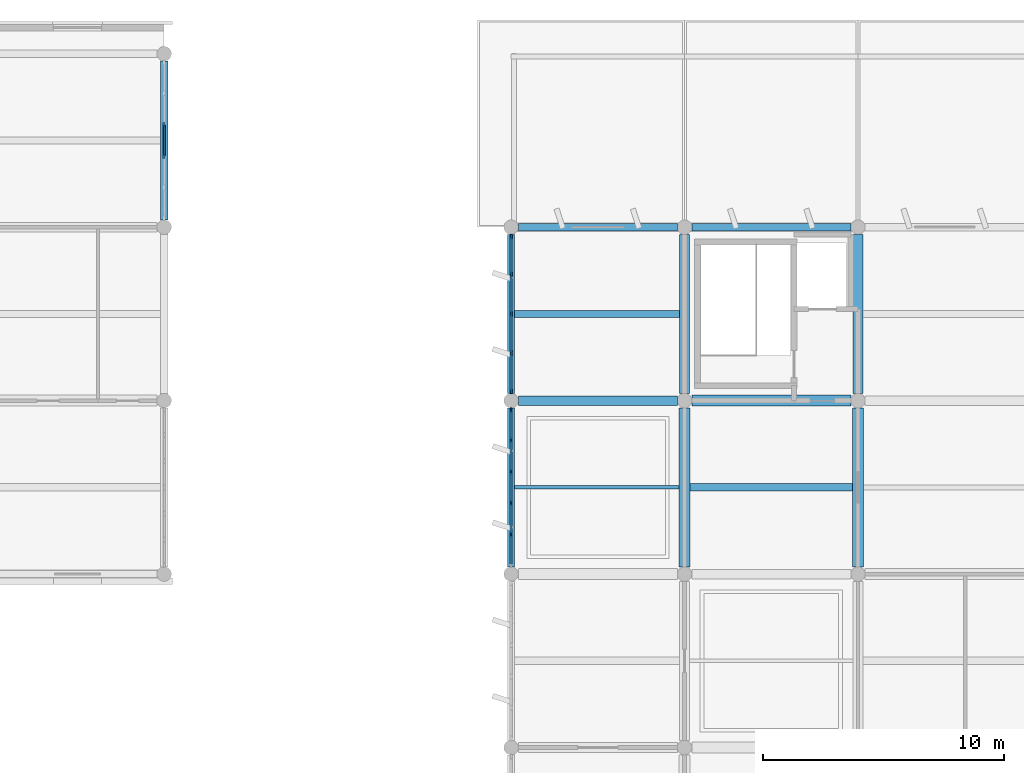
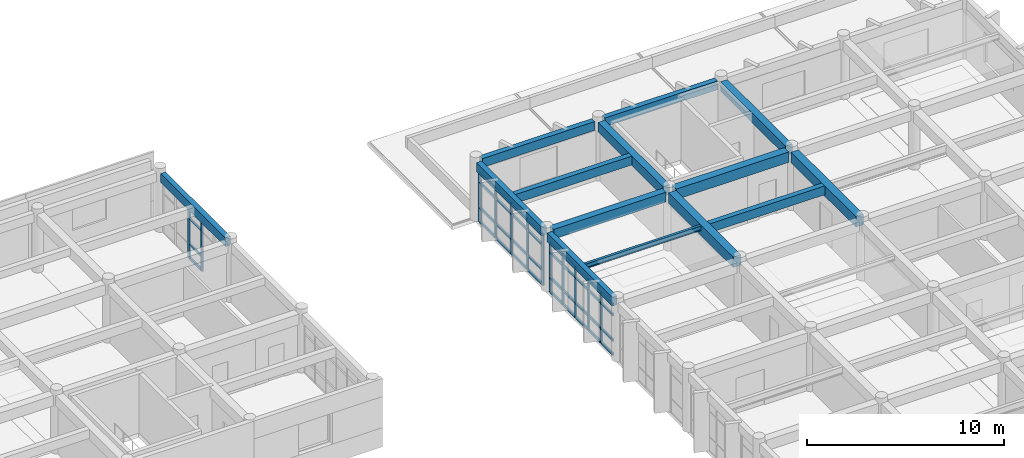
# One storey, part 5 of 16: 52 members, 13 beams, 3 elements without a shape of their own.
"""IFC4 building model written with IfcOpenShell, lengths in metres."""

from ifc_helpers import new_model, si_unit, direction, frame, origin, origin_2d, place, context, subcontext, project, spatial, rectangle, i_section, extrude, material, layer, layer_set, material_profile, profile_set, type_object, element, aggregate, save


model = new_model("IFC4")

# Units and contexts
model_context = context("Model", 3, precision=1e-05, world=origin(), true_north=direction((0.0, 1.0)))
body_context = subcontext(model_context, "Body", "Model", "MODEL_VIEW")
ifc_project = project(units=[si_unit("LENGTHUNIT", "METRE"), si_unit("AREAUNIT", "SQUARE_METRE"), si_unit("VOLUMEUNIT", "CUBIC_METRE"), si_unit("PLANEANGLEUNIT", "RADIAN"), si_unit("MASSUNIT", "GRAM", prefix="KILO")], contexts=[model_context])

# Site, building, storey
site_placement = place(None, origin())
site = spatial("IfcSite", under=ifc_project, at=site_placement, CompositionType="ELEMENT")
building_placement = place(site_placement, origin())
building = spatial("IfcBuilding", under=site, at=building_placement, Name="Kavelor Marine Aquarium", CompositionType="ELEMENT")
storey_placement = place(building_placement, frame((0.0, 0.0, 21.60009765625)))
storey = spatial("IfcBuildingStorey", under=building, at=storey_placement, Name="L05", CompositionType="ELEMENT", Elevation=21.60009765625)

# Beams
ifc_material_1 = material(Name="Concrete C40/50", Category="concrete")
ifc_material_profile_1 = material_profile(ifc_material_1, rectangle(XDim=0.449951171875, YDim=0.64990234375, at=origin_2d()), Name="RC-BM 450x650")
ifc_profile_set_1 = profile_set([ifc_material_profile_1], Name="Concrete C40/50")
beam_type_1 = type_object("IfcBeamType", Name="BM-B3", PredefinedType="BEAM", material=ifc_profile_set_1)
for number, where, z_axis, x_axis, name in (
    (1, (125.89990234375, 96.39990234375, 3.35498046875), (1.0, 0.0, 0.0), (0.0, 1.0, 0.0), "bm:x:L05:RF:17_13"),
    (2, (125.60009765625, 89.5, 3.35498046875), (0.0, 1.0, 0.0), (-1.0, 0.0, 0.0), "bm:y:L05:RF:17_12"),
    (3, (132.800048828125, 89.5, 3.35498046875), (0.0, 1.0, 0.0), (-1.0, 0.0, 0.0), "bm:y:L05:RF:18_12"),
):
    element("IfcBeam", number, at=place(storey_placement, frame(where, z_axis=z_axis, x_axis=x_axis)), inside=storey, type_object=beam_type_1, Name=name, PredefinedType="BEAM", context=body_context, shape_type="SweptSolid", body=[
        extrude(rectangle(XDim=0.449951171875, YDim=0.64990234375, at=origin_2d()), origin(), (0.0, 0.0, 1.0), 6.60009765625),
    ])
ifc_material_2 = material(Name="Concrete C40/50", Category="concrete")
ifc_material_profile_2 = material_profile(ifc_material_2, rectangle(XDim=0.39990234375, YDim=0.60009765625, at=origin_2d()), Name="RC-BM 400x600")
ifc_profile_set_2 = profile_set([ifc_material_profile_2], Name="Concrete C40/50")
beam_type_2 = type_object("IfcBeamType", Name="BM-B4", PredefinedType="BEAM", material=ifc_profile_set_2)
for number, where, z_axis, x_axis, name in (
    (4, (118.699951171875, 96.39990234375, 3.3798828125), (1.0, 0.0, 0.0), (0.0, 1.0, 0.0), "bm:x:L05:RF:16_13"),
    (5, (125.60009765625, 96.699951171875, 3.3798828125), (0.0, 1.0, 0.0), (-1.0, 0.0, 0.0), "bm:y:L05:RF:17_13"),
    (6, (132.800048828125, 96.699951171875, 3.3798828125), (0.0, 1.0, 0.0), (-1.0, 0.0, 0.0), "bm:y:L05:RF:18_13"),
):
    element("IfcBeam", number, at=place(storey_placement, frame(where, z_axis=z_axis, x_axis=x_axis)), inside=storey, type_object=beam_type_2, Name=name, PredefinedType="BEAM", context=body_context, shape_type="SweptSolid", body=[
        extrude(rectangle(XDim=0.39990234375, YDim=0.60009765625, at=origin_2d()), origin(), (0.0, 0.0, 1.0), 6.60009765625),
    ])
ifc_material_3 = material(Name="Concrete C40/50", Category="concrete")
ifc_material_profile_3 = material_profile(ifc_material_3, rectangle(XDim=0.300048828125, YDim=0.550048828125, at=origin_2d()), Name="RC-JS 300x550")
ifc_profile_set_3 = profile_set([ifc_material_profile_3], Name="Concrete C40/50")
beam_type_3 = type_object("IfcBeamType", Name="BM-JS2", PredefinedType="JOIST", material=ifc_profile_set_3)
beam_1_placement = place(storey_placement, frame((118.550048828125, 100.0, 3.40478515625), z_axis=(1.0, 0.0, 0.0), x_axis=(0.0, 1.0, 0.0)))
element("IfcBeam", 7, at=beam_1_placement, inside=storey, type_object=beam_type_3, Name="js:L05:RF:16_13", PredefinedType="JOIST", context=body_context, shape_type="SweptSolid", body=[
    extrude(rectangle(XDim=0.300048828125, YDim=0.550048828125, at=origin_2d()), origin(), (0.0, 0.0, 1.0), 6.849853515625),
])
beam_2_placement = place(storey_placement, frame((125.824951171875, 92.800048828125, 3.40478515625), z_axis=(1.0, 0.0, 0.0), x_axis=(0.0, 1.0, 0.0)))
element("IfcBeam", 8, at=beam_2_placement, inside=storey, type_object=beam_type_3, Name="js:L05:RF:17_12", PredefinedType="JOIST", context=body_context, shape_type="SweptSolid", body=[
    extrude(rectangle(XDim=0.300048828125, YDim=0.550048828125, at=origin_2d()), origin(), (0.0, 0.0, 1.0), 6.75),
])
ifc_material_4 = material(Name="Concrete C40/50", Category="concrete")
ifc_material_profile_4 = material_profile(ifc_material_4, rectangle(XDim=0.300048828125, YDim=0.550048828125, at=origin_2d()), Name="RC-SP 300x550")
ifc_profile_set_4 = profile_set([ifc_material_profile_4], Name="Concrete C40/50")
beam_type_4 = type_object("IfcBeamType", Name="BM-SP2", PredefinedType="SPANDREL", material=ifc_profile_set_4)
for number, where, z_axis, x_axis, name in (
    (9, (118.699951171875, 103.60009765625, 3.40478515625), (1.0, 0.0, 0.0), (0.0, 1.0, 0.0), "bm:x:L05:RF:16_14"),
    (10, (125.89990234375, 103.60009765625, 3.40478515625), (1.0, 0.0, 0.0), (0.0, 1.0, 0.0), "bm:x:L05:RF:17_14"),
    (11, (104.0, 103.89990234375, 3.40478515625), (0.0, 1.0, 0.0), (-1.0, 0.0, 0.0), "bm:y:L05:RF:14_14"),
    (12, (118.39990234375, 89.5, 3.40478515625), (0.0, 1.0, 0.0), (-1.0, 0.0, 0.0), "bm:y:L05:RF:16_12"),
    (13, (118.39990234375, 96.699951171875, 3.40478515625), (0.0, 1.0, 0.0), (-1.0, 0.0, 0.0), "bm:y:L05:RF:16_13"),
):
    element("IfcBeam", number, at=place(storey_placement, frame(where, z_axis=z_axis, x_axis=x_axis)), inside=storey, type_object=beam_type_4, Name=name, PredefinedType="SPANDREL", context=body_context, shape_type="SweptSolid", body=[
        extrude(rectangle(XDim=0.300048828125, YDim=0.550048828125, at=origin_2d()), origin(), (0.0, 0.0, 1.0), 6.60009765625),
    ])

# Curtain wall, members
ifc_material_5 = material(Name="Thermally Broken Aluminium and Low-E Glass", Category="aluminium")
ifc_layer_1 = layer(ifc_material_5, 0.219970703125)
ifc_layer_set_1 = layer_set([ifc_layer_1], Name="CW-SYS10")
curtain_wall_type_1 = type_object("IfcCurtainWallType", Name="CW-SYS10", PredefinedType="USERDEFINED", material=ifc_layer_set_1)
curtain_wall_1_placement = place(storey_placement, origin())
curtain_wall_1 = element("IfcCurtainWall", 14, at=curtain_wall_1_placement, inside=storey, type_object=curtain_wall_type_1, Name="cw:y:L05:16_12", ObjectType="Curtain Wall", PredefinedType="USERDEFINED")
ifc_material_6 = material(Name="Anodised Aluminium Alloy 6063-T6", Category="aluminium")
ifc_material_profile_5 = material_profile(ifc_material_6, rectangle(XDim=0.074951171875, YDim=0.179931640625, at=origin_2d()), Name="CW-MUL 75x180")
ifc_profile_set_5 = profile_set([ifc_material_profile_5], Name="Anodised Aluminium Alloy 6063-T6")
member_type_1 = type_object("IfcMemberType", Name="CWM-1", PredefinedType="MULLION", material=ifc_profile_set_5)
member_1_placement = place(storey_placement, frame((118.39990234375, 96.017578125, 0.0), z_axis=(0.0, 0.0, 1.0), x_axis=(1.0, 0.0, 0.0)))
member_1 = element("IfcMember", 15, at=member_1_placement, type_object=member_type_1, Name="CW10 mullion 1", PredefinedType="MULLION", context=body_context, shape_type="SweptSolid", body=[
    extrude(rectangle(XDim=0.074951171875, YDim=0.179931640625, at=origin_2d()), origin(), (0.0, 0.0, 1.0), 3.119873046875),
])
member_2_placement = place(storey_placement, frame((118.39990234375, 94.7529296875, 0.0), z_axis=(0.0, 0.0, 1.0), x_axis=(1.0, 0.0, 0.0)))
member_2 = element("IfcMember", 16, at=member_2_placement, type_object=member_type_1, Name="CW10 mullion 2", PredefinedType="MULLION", context=body_context, shape_type="SweptSolid", body=[
    extrude(rectangle(XDim=0.074951171875, YDim=0.179931640625, at=origin_2d()), origin(), (0.0, 0.0, 1.0), 3.119873046875),
])
member_3_placement = place(storey_placement, frame((118.39990234375, 93.450927734375, 0.0), z_axis=(0.0, 0.0, 1.0), x_axis=(1.0, 0.0, 0.0)))
member_3 = element("IfcMember", 17, at=member_3_placement, type_object=member_type_1, Name="CW10 mullion 3", PredefinedType="MULLION", context=body_context, shape_type="SweptSolid", body=[
    extrude(rectangle(XDim=0.074951171875, YDim=0.179931640625, at=origin_2d()), origin(), (0.0, 0.0, 1.0), 3.119873046875),
])
member_4_placement = place(storey_placement, frame((118.39990234375, 92.14892578125, 0.0), z_axis=(0.0, 0.0, 1.0), x_axis=(1.0, 0.0, 0.0)))
member_4 = element("IfcMember", 18, at=member_4_placement, type_object=member_type_1, Name="CW10 mullion 4", PredefinedType="MULLION", context=body_context, shape_type="SweptSolid", body=[
    extrude(rectangle(XDim=0.074951171875, YDim=0.179931640625, at=origin_2d()), origin(), (0.0, 0.0, 1.0), 3.119873046875),
])
member_5_placement = place(storey_placement, frame((118.39990234375, 90.846923828125, 0.0), z_axis=(0.0, 0.0, 1.0), x_axis=(1.0, 0.0, 0.0)))
member_5 = element("IfcMember", 19, at=member_5_placement, type_object=member_type_1, Name="CW10 mullion 5", PredefinedType="MULLION", context=body_context, shape_type="SweptSolid", body=[
    extrude(rectangle(XDim=0.074951171875, YDim=0.179931640625, at=origin_2d()), origin(), (0.0, 0.0, 1.0), 3.119873046875),
])

ifc_material_7 = material(Name="Thermally Broken Aluminium and Low-E Glass", Category="aluminium")
ifc_layer_2 = layer(ifc_material_7, 0.22802734375)
ifc_layer_set_2 = layer_set([ifc_layer_2], Name="CW-SYS11")
curtain_wall_type_2 = type_object("IfcCurtainWallType", Name="CW-SYS11", PredefinedType="USERDEFINED", material=ifc_layer_set_2)
curtain_wall_2_placement = place(storey_placement, origin())
curtain_wall_2 = element("IfcCurtainWall", 20, at=curtain_wall_2_placement, inside=storey, type_object=curtain_wall_type_2, Name="cw:y:L05:16_13", ObjectType="Curtain Wall", PredefinedType="USERDEFINED")
ifc_material_8 = material(Name="Anodised Aluminium Alloy 6063-T6", Category="aluminium")
ifc_material_profile_6 = material_profile(ifc_material_8, rectangle(XDim=0.080078125, YDim=0.18505859375, at=origin_2d()), Name="CW-MUL 80x185")
ifc_profile_set_6 = profile_set([ifc_material_profile_6], Name="Anodised Aluminium Alloy 6063-T6")
member_type_2 = type_object("IfcMemberType", Name="CWM-2", PredefinedType="MULLION", material=ifc_profile_set_6)
member_6_placement = place(storey_placement, frame((118.39990234375, 103.222412109375, 0.0), z_axis=(0.0, 0.0, 1.0), x_axis=(1.0, 0.0, 0.0)))
member_6 = element("IfcMember", 21, at=member_6_placement, type_object=member_type_2, Name="CW11 mullion 1", PredefinedType="MULLION", context=body_context, shape_type="SweptSolid", body=[
    extrude(rectangle(XDim=0.080078125, YDim=0.18505859375, at=origin_2d()), origin(), (0.0, 0.0, 1.0), 3.119873046875),
])
member_7_placement = place(storey_placement, frame((118.39990234375, 101.62744140625, 0.0), z_axis=(0.0, 0.0, 1.0), x_axis=(1.0, 0.0, 0.0)))
member_7 = element("IfcMember", 22, at=member_7_placement, type_object=member_type_2, Name="CW11 mullion 2", PredefinedType="MULLION", context=body_context, shape_type="SweptSolid", body=[
    extrude(rectangle(XDim=0.080078125, YDim=0.18505859375, at=origin_2d()), origin(), (0.0, 0.0, 1.0), 3.119873046875),
])
member_8_placement = place(storey_placement, frame((118.39990234375, 100.0, 0.0), z_axis=(0.0, 0.0, 1.0), x_axis=(1.0, 0.0, 0.0)))
member_8 = element("IfcMember", 23, at=member_8_placement, type_object=member_type_2, Name="CW11 mullion 3", PredefinedType="MULLION", context=body_context, shape_type="SweptSolid", body=[
    extrude(rectangle(XDim=0.080078125, YDim=0.18505859375, at=origin_2d()), origin(), (0.0, 0.0, 1.0), 3.119873046875),
])
member_9_placement = place(storey_placement, frame((118.39990234375, 98.37255859375, 0.0), z_axis=(0.0, 0.0, 1.0), x_axis=(1.0, 0.0, 0.0)))
member_9 = element("IfcMember", 24, at=member_9_placement, type_object=member_type_2, Name="CW11 mullion 4", PredefinedType="MULLION", context=body_context, shape_type="SweptSolid", body=[
    extrude(rectangle(XDim=0.080078125, YDim=0.18505859375, at=origin_2d()), origin(), (0.0, 0.0, 1.0), 3.119873046875),
])
member_10_placement = place(storey_placement, frame((118.39990234375, 96.777587890625, 0.0), z_axis=(0.0, 0.0, 1.0), x_axis=(1.0, 0.0, 0.0)))
member_10 = element("IfcMember", 25, at=member_10_placement, type_object=member_type_2, Name="CW11 mullion 5", PredefinedType="MULLION", context=body_context, shape_type="SweptSolid", body=[
    extrude(rectangle(XDim=0.080078125, YDim=0.18505859375, at=origin_2d()), origin(), (0.0, 0.0, 1.0), 3.119873046875),
])

ifc_material_9 = material(Name="Thermally Broken Aluminium and Low-E Glass", Category="aluminium")
ifc_layer_3 = layer(ifc_material_9, 0.18798828125)
ifc_layer_set_3 = layer_set([ifc_layer_3], Name="CW-SYS6")
curtain_wall_type_3 = type_object("IfcCurtainWallType", Name="CW-SYS6", PredefinedType="USERDEFINED", material=ifc_layer_set_3)
curtain_wall_3_placement = place(storey_placement, origin())
curtain_wall_3 = element("IfcCurtainWall", 26, at=curtain_wall_3_placement, inside=storey, type_object=curtain_wall_type_3, Name="cw:y:L05:14_14", ObjectType="Curtain Wall", PredefinedType="USERDEFINED")
ifc_material_10 = material(Name="Anodised Aluminium Alloy 6063-T6", Category="aluminium")
ifc_material_profile_7 = material_profile(ifc_material_10, rectangle(XDim=0.0849609375, YDim=0.18994140625, at=origin_2d()), Name="CW-MUL 85x190")
ifc_profile_set_7 = profile_set([ifc_material_profile_7], Name="Anodised Aluminium Alloy 6063-T6")
member_type_3 = type_object("IfcMemberType", Name="CWM-3", PredefinedType="MULLION", material=ifc_profile_set_7)
member_11_placement = place(storey_placement, frame((104.0, 106.549072265625, 0.0), z_axis=(0.0, 0.0, 1.0), x_axis=(-1.0, 0.0, 0.0)))
member_11 = element("IfcMember", 27, at=member_11_placement, type_object=member_type_3, Name="CW06 mullion 3", PredefinedType="MULLION", context=body_context, shape_type="SweptSolid", body=[
    extrude(rectangle(XDim=0.0849609375, YDim=0.18994140625, at=origin_2d()), origin(), (0.0, 0.0, 1.0), 3.119873046875),
])
member_12_placement = place(storey_placement, frame((104.0, 107.85107421875, 0.0), z_axis=(0.0, 0.0, 1.0), x_axis=(-1.0, 0.0, 0.0)))
member_12 = element("IfcMember", 28, at=member_12_placement, type_object=member_type_3, Name="CW06 mullion 4", PredefinedType="MULLION", context=body_context, shape_type="SweptSolid", body=[
    extrude(rectangle(XDim=0.0849609375, YDim=0.18994140625, at=origin_2d()), origin(), (0.0, 0.0, 1.0), 3.119873046875),
])
ifc_material_11 = material(Name="Anodised Aluminium Alloy 6063-T6", Category="aluminium")
ifc_material_profile_8 = material_profile(ifc_material_11, rectangle(XDim=0.074951171875, YDim=0.14990234375, at=origin_2d()), Name="CW-TRN 75x150")
ifc_profile_set_8 = profile_set([ifc_material_profile_8], Name="Anodised Aluminium Alloy 6063-T6")
member_type_4 = type_object("IfcMemberType", Name="CWT-1", PredefinedType="USERDEFINED", material=ifc_profile_set_8)
member_13_placement = place(storey_placement, frame((104.0, 106.5791015625, 0.037353515625), z_axis=(0.0, 1.0, 0.0), x_axis=(-1.0, 0.0, 0.0)))
member_13 = element("IfcMember", 29, at=member_13_placement, type_object=member_type_4, Name="CW06 transom 3.1", ObjectType="TRANSOM", PredefinedType="USERDEFINED", context=body_context, shape_type="SweptSolid", body=[
    extrude(rectangle(XDim=0.074951171875, YDim=0.14990234375, at=origin_2d()), origin(), (0.0, 0.0, 1.0), 1.241943359375),
])
member_14_placement = place(storey_placement, frame((104.0, 106.5791015625, 0.89990234375), z_axis=(0.0, 1.0, 0.0), x_axis=(-1.0, 0.0, 0.0)))
member_14 = element("IfcMember", 30, at=member_14_placement, type_object=member_type_4, Name="CW06 transom 3.2", ObjectType="TRANSOM", PredefinedType="USERDEFINED", context=body_context, shape_type="SweptSolid", body=[
    extrude(rectangle(XDim=0.074951171875, YDim=0.14990234375, at=origin_2d()), origin(), (0.0, 0.0, 1.0), 1.241943359375),
])
member_15_placement = place(storey_placement, frame((104.0, 106.5791015625, 2.469970703125), z_axis=(0.0, 1.0, 0.0), x_axis=(-1.0, 0.0, 0.0)))
member_15 = element("IfcMember", 31, at=member_15_placement, type_object=member_type_4, Name="CW06 transom 3.3", ObjectType="TRANSOM", PredefinedType="USERDEFINED", context=body_context, shape_type="SweptSolid", body=[
    extrude(rectangle(XDim=0.074951171875, YDim=0.14990234375, at=origin_2d()), origin(), (0.0, 0.0, 1.0), 1.241943359375),
])
aggregate(curtain_wall_3, [member_11, member_12, member_13, member_14, member_15])

# Member
ifc_material_12 = material(Name="Anodised Aluminium Alloy 6063-T6", Category="aluminium")
ifc_material_profile_9 = material_profile(ifc_material_12, rectangle(XDim=0.0849609375, YDim=0.159912109375, at=origin_2d()), Name="CW-TRN 85x160")
ifc_profile_set_9 = profile_set([ifc_material_profile_9], Name="Anodised Aluminium Alloy 6063-T6")
member_type_5 = type_object("IfcMemberType", Name="CWT-3", PredefinedType="USERDEFINED", material=ifc_profile_set_9)
member_16_placement = place(storey_placement, frame((118.39990234375, 95.97998046875, 0.02978515625), z_axis=(0.0, -1.0, 0.0), x_axis=(1.0, 0.0, 0.0)))
member_16 = element("IfcMember", 32, at=member_16_placement, type_object=member_type_5, Name="CW10 transom 1.1", ObjectType="TRANSOM", PredefinedType="USERDEFINED", context=body_context, shape_type="SweptSolid", body=[
    extrude(rectangle(XDim=0.0849609375, YDim=0.159912109375, at=origin_2d()), origin(), (0.0, 0.0, 1.0), 1.189453125),
])

member_17_placement = place(storey_placement, frame((118.39990234375, 95.97998046875, 0.89990234375), z_axis=(0.0, -1.0, 0.0), x_axis=(1.0, 0.0, 0.0)))
member_17 = element("IfcMember", 33, at=member_17_placement, type_object=member_type_5, Name="CW10 transom 1.2", ObjectType="TRANSOM", PredefinedType="USERDEFINED", context=body_context, shape_type="SweptSolid", body=[
    extrude(rectangle(XDim=0.0849609375, YDim=0.159912109375, at=origin_2d()), origin(), (0.0, 0.0, 1.0), 1.189453125),
])

member_18_placement = place(storey_placement, frame((118.39990234375, 95.97998046875, 2.469970703125), z_axis=(0.0, -1.0, 0.0), x_axis=(1.0, 0.0, 0.0)))
member_18 = element("IfcMember", 34, at=member_18_placement, type_object=member_type_5, Name="CW10 transom 1.3", ObjectType="TRANSOM", PredefinedType="USERDEFINED", context=body_context, shape_type="SweptSolid", body=[
    extrude(rectangle(XDim=0.0849609375, YDim=0.159912109375, at=origin_2d()), origin(), (0.0, 0.0, 1.0), 1.189453125),
])

member_19_placement = place(storey_placement, frame((118.39990234375, 95.97998046875, 3.08984375), z_axis=(0.0, -1.0, 0.0), x_axis=(1.0, 0.0, 0.0)))
member_19 = element("IfcMember", 35, at=member_19_placement, type_object=member_type_5, Name="CW10 transom 1.4", ObjectType="TRANSOM", PredefinedType="USERDEFINED", context=body_context, shape_type="SweptSolid", body=[
    extrude(rectangle(XDim=0.0849609375, YDim=0.159912109375, at=origin_2d()), origin(), (0.0, 0.0, 1.0), 1.189453125),
])

member_20_placement = place(storey_placement, frame((118.39990234375, 94.715576171875, 0.02978515625), z_axis=(0.0, -1.0, 0.0), x_axis=(1.0, 0.0, 0.0)))
member_20 = element("IfcMember", 36, at=member_20_placement, type_object=member_type_5, Name="CW10 transom 2.1", ObjectType="TRANSOM", PredefinedType="USERDEFINED", context=body_context, shape_type="SweptSolid", body=[
    extrude(rectangle(XDim=0.0849609375, YDim=0.159912109375, at=origin_2d()), origin(), (0.0, 0.0, 1.0), 1.22705078125),
])

member_21_placement = place(storey_placement, frame((118.39990234375, 94.715576171875, 0.89990234375), z_axis=(0.0, -1.0, 0.0), x_axis=(1.0, 0.0, 0.0)))
member_21 = element("IfcMember", 37, at=member_21_placement, type_object=member_type_5, Name="CW10 transom 2.2", ObjectType="TRANSOM", PredefinedType="USERDEFINED", context=body_context, shape_type="SweptSolid", body=[
    extrude(rectangle(XDim=0.0849609375, YDim=0.159912109375, at=origin_2d()), origin(), (0.0, 0.0, 1.0), 1.22705078125),
])

member_22_placement = place(storey_placement, frame((118.39990234375, 94.715576171875, 2.469970703125), z_axis=(0.0, -1.0, 0.0), x_axis=(1.0, 0.0, 0.0)))
member_22 = element("IfcMember", 38, at=member_22_placement, type_object=member_type_5, Name="CW10 transom 2.3", ObjectType="TRANSOM", PredefinedType="USERDEFINED", context=body_context, shape_type="SweptSolid", body=[
    extrude(rectangle(XDim=0.0849609375, YDim=0.159912109375, at=origin_2d()), origin(), (0.0, 0.0, 1.0), 1.22705078125),
])

member_23_placement = place(storey_placement, frame((118.39990234375, 94.715576171875, 3.08984375), z_axis=(0.0, -1.0, 0.0), x_axis=(1.0, 0.0, 0.0)))
member_23 = element("IfcMember", 39, at=member_23_placement, type_object=member_type_5, Name="CW10 transom 2.4", ObjectType="TRANSOM", PredefinedType="USERDEFINED", context=body_context, shape_type="SweptSolid", body=[
    extrude(rectangle(XDim=0.0849609375, YDim=0.159912109375, at=origin_2d()), origin(), (0.0, 0.0, 1.0), 1.22705078125),
])

member_24_placement = place(storey_placement, frame((118.39990234375, 93.41357421875, 0.02978515625), z_axis=(0.0, -1.0, 0.0), x_axis=(1.0, 0.0, 0.0)))
member_24 = element("IfcMember", 40, at=member_24_placement, type_object=member_type_5, Name="CW10 transom 3.1", ObjectType="TRANSOM", PredefinedType="USERDEFINED", context=body_context, shape_type="SweptSolid", body=[
    extrude(rectangle(XDim=0.0849609375, YDim=0.159912109375, at=origin_2d()), origin(), (0.0, 0.0, 1.0), 1.22705078125),
])

member_25_placement = place(storey_placement, frame((118.39990234375, 93.41357421875, 0.89990234375), z_axis=(0.0, -1.0, 0.0), x_axis=(1.0, 0.0, 0.0)))
member_25 = element("IfcMember", 41, at=member_25_placement, type_object=member_type_5, Name="CW10 transom 3.2", ObjectType="TRANSOM", PredefinedType="USERDEFINED", context=body_context, shape_type="SweptSolid", body=[
    extrude(rectangle(XDim=0.0849609375, YDim=0.159912109375, at=origin_2d()), origin(), (0.0, 0.0, 1.0), 1.22705078125),
])

member_26_placement = place(storey_placement, frame((118.39990234375, 93.41357421875, 2.469970703125), z_axis=(0.0, -1.0, 0.0), x_axis=(1.0, 0.0, 0.0)))
member_26 = element("IfcMember", 42, at=member_26_placement, type_object=member_type_5, Name="CW10 transom 3.3", ObjectType="TRANSOM", PredefinedType="USERDEFINED", context=body_context, shape_type="SweptSolid", body=[
    extrude(rectangle(XDim=0.0849609375, YDim=0.159912109375, at=origin_2d()), origin(), (0.0, 0.0, 1.0), 1.22705078125),
])

member_27_placement = place(storey_placement, frame((118.39990234375, 93.41357421875, 3.08984375), z_axis=(0.0, -1.0, 0.0), x_axis=(1.0, 0.0, 0.0)))
member_27 = element("IfcMember", 43, at=member_27_placement, type_object=member_type_5, Name="CW10 transom 3.4", ObjectType="TRANSOM", PredefinedType="USERDEFINED", context=body_context, shape_type="SweptSolid", body=[
    extrude(rectangle(XDim=0.0849609375, YDim=0.159912109375, at=origin_2d()), origin(), (0.0, 0.0, 1.0), 1.22705078125),
])

member_28_placement = place(storey_placement, frame((118.39990234375, 92.111572265625, 0.02978515625), z_axis=(0.0, -1.0, 0.0), x_axis=(1.0, 0.0, 0.0)))
member_28 = element("IfcMember", 44, at=member_28_placement, type_object=member_type_5, Name="CW10 transom 4.1", ObjectType="TRANSOM", PredefinedType="USERDEFINED", context=body_context, shape_type="SweptSolid", body=[
    extrude(rectangle(XDim=0.0849609375, YDim=0.159912109375, at=origin_2d()), origin(), (0.0, 0.0, 1.0), 1.22705078125),
])

member_29_placement = place(storey_placement, frame((118.39990234375, 92.111572265625, 0.89990234375), z_axis=(0.0, -1.0, 0.0), x_axis=(1.0, 0.0, 0.0)))
member_29 = element("IfcMember", 45, at=member_29_placement, type_object=member_type_5, Name="CW10 transom 4.2", ObjectType="TRANSOM", PredefinedType="USERDEFINED", context=body_context, shape_type="SweptSolid", body=[
    extrude(rectangle(XDim=0.0849609375, YDim=0.159912109375, at=origin_2d()), origin(), (0.0, 0.0, 1.0), 1.22705078125),
])

member_30_placement = place(storey_placement, frame((118.39990234375, 92.111572265625, 2.469970703125), z_axis=(0.0, -1.0, 0.0), x_axis=(1.0, 0.0, 0.0)))
member_30 = element("IfcMember", 46, at=member_30_placement, type_object=member_type_5, Name="CW10 transom 4.3", ObjectType="TRANSOM", PredefinedType="USERDEFINED", context=body_context, shape_type="SweptSolid", body=[
    extrude(rectangle(XDim=0.0849609375, YDim=0.159912109375, at=origin_2d()), origin(), (0.0, 0.0, 1.0), 1.22705078125),
])

member_31_placement = place(storey_placement, frame((118.39990234375, 92.111572265625, 3.08984375), z_axis=(0.0, -1.0, 0.0), x_axis=(1.0, 0.0, 0.0)))
member_31 = element("IfcMember", 47, at=member_31_placement, type_object=member_type_5, Name="CW10 transom 4.4", ObjectType="TRANSOM", PredefinedType="USERDEFINED", context=body_context, shape_type="SweptSolid", body=[
    extrude(rectangle(XDim=0.0849609375, YDim=0.159912109375, at=origin_2d()), origin(), (0.0, 0.0, 1.0), 1.22705078125),
])

member_32_placement = place(storey_placement, frame((118.39990234375, 90.8095703125, 0.02978515625), z_axis=(0.0, -1.0, 0.0), x_axis=(1.0, 0.0, 0.0)))
member_32 = element("IfcMember", 48, at=member_32_placement, type_object=member_type_5, Name="CW10 transom 5.1", ObjectType="TRANSOM", PredefinedType="USERDEFINED", context=body_context, shape_type="SweptSolid", body=[
    extrude(rectangle(XDim=0.0849609375, YDim=0.159912109375, at=origin_2d()), origin(), (0.0, 0.0, 1.0), 1.189453125),
])

member_33_placement = place(storey_placement, frame((118.39990234375, 90.8095703125, 0.89990234375), z_axis=(0.0, -1.0, 0.0), x_axis=(1.0, 0.0, 0.0)))
member_33 = element("IfcMember", 49, at=member_33_placement, type_object=member_type_5, Name="CW10 transom 5.2", ObjectType="TRANSOM", PredefinedType="USERDEFINED", context=body_context, shape_type="SweptSolid", body=[
    extrude(rectangle(XDim=0.0849609375, YDim=0.159912109375, at=origin_2d()), origin(), (0.0, 0.0, 1.0), 1.189453125),
])

member_34_placement = place(storey_placement, frame((118.39990234375, 90.8095703125, 2.469970703125), z_axis=(0.0, -1.0, 0.0), x_axis=(1.0, 0.0, 0.0)))
member_34 = element("IfcMember", 50, at=member_34_placement, type_object=member_type_5, Name="CW10 transom 5.3", ObjectType="TRANSOM", PredefinedType="USERDEFINED", context=body_context, shape_type="SweptSolid", body=[
    extrude(rectangle(XDim=0.0849609375, YDim=0.159912109375, at=origin_2d()), origin(), (0.0, 0.0, 1.0), 1.189453125),
])

member_35_placement = place(storey_placement, frame((118.39990234375, 90.8095703125, 3.08984375), z_axis=(0.0, -1.0, 0.0), x_axis=(1.0, 0.0, 0.0)))
member_35 = element("IfcMember", 51, at=member_35_placement, type_object=member_type_5, Name="CW10 transom 5.4", ObjectType="TRANSOM", PredefinedType="USERDEFINED", context=body_context, shape_type="SweptSolid", body=[
    extrude(rectangle(XDim=0.0849609375, YDim=0.159912109375, at=origin_2d()), origin(), (0.0, 0.0, 1.0), 1.189453125),
])

aggregate(curtain_wall_1, [member_1, member_2, member_3, member_4, member_5, member_16, member_17, member_18, member_19, member_20, member_21, member_22, member_23, member_24, member_25, member_26, member_27, member_28, member_29, member_30, member_31, member_32, member_33, member_34, member_35])

member_36_placement = place(storey_placement, frame((118.39990234375, 103.18994140625, 0.02978515625), z_axis=(0.0, -1.0, 0.0), x_axis=(1.0, 0.0, 0.0)))
member_36 = element("IfcMember", 52, at=member_36_placement, type_object=member_type_5, Name="CW11 transom 1.1", ObjectType="TRANSOM", PredefinedType="USERDEFINED", context=body_context, shape_type="SweptSolid", body=[
    extrude(rectangle(XDim=0.0849609375, YDim=0.159912109375, at=origin_2d()), origin(), (0.0, 0.0, 1.0), 1.530029296875),
])

member_37_placement = place(storey_placement, frame((118.39990234375, 103.18994140625, 0.89990234375), z_axis=(0.0, -1.0, 0.0), x_axis=(1.0, 0.0, 0.0)))
member_37 = element("IfcMember", 53, at=member_37_placement, type_object=member_type_5, Name="CW11 transom 1.2", ObjectType="TRANSOM", PredefinedType="USERDEFINED", context=body_context, shape_type="SweptSolid", body=[
    extrude(rectangle(XDim=0.0849609375, YDim=0.159912109375, at=origin_2d()), origin(), (0.0, 0.0, 1.0), 1.530029296875),
])

member_38_placement = place(storey_placement, frame((118.39990234375, 103.18994140625, 2.469970703125), z_axis=(0.0, -1.0, 0.0), x_axis=(1.0, 0.0, 0.0)))
member_38 = element("IfcMember", 54, at=member_38_placement, type_object=member_type_5, Name="CW11 transom 1.3", ObjectType="TRANSOM", PredefinedType="USERDEFINED", context=body_context, shape_type="SweptSolid", body=[
    extrude(rectangle(XDim=0.0849609375, YDim=0.159912109375, at=origin_2d()), origin(), (0.0, 0.0, 1.0), 1.530029296875),
])

member_39_placement = place(storey_placement, frame((118.39990234375, 103.18994140625, 3.08984375), z_axis=(0.0, -1.0, 0.0), x_axis=(1.0, 0.0, 0.0)))
member_39 = element("IfcMember", 55, at=member_39_placement, type_object=member_type_5, Name="CW11 transom 1.4", ObjectType="TRANSOM", PredefinedType="USERDEFINED", context=body_context, shape_type="SweptSolid", body=[
    extrude(rectangle(XDim=0.0849609375, YDim=0.159912109375, at=origin_2d()), origin(), (0.0, 0.0, 1.0), 1.530029296875),
])

member_40_placement = place(storey_placement, frame((118.39990234375, 101.594970703125, 0.02978515625), z_axis=(0.0, -1.0, 0.0), x_axis=(1.0, 0.0, 0.0)))
member_40 = element("IfcMember", 56, at=member_40_placement, type_object=member_type_5, Name="CW11 transom 2.1", ObjectType="TRANSOM", PredefinedType="USERDEFINED", context=body_context, shape_type="SweptSolid", body=[
    extrude(rectangle(XDim=0.0849609375, YDim=0.159912109375, at=origin_2d()), origin(), (0.0, 0.0, 1.0), 1.5625),
])

member_41_placement = place(storey_placement, frame((118.39990234375, 101.594970703125, 0.89990234375), z_axis=(0.0, -1.0, 0.0), x_axis=(1.0, 0.0, 0.0)))
member_41 = element("IfcMember", 57, at=member_41_placement, type_object=member_type_5, Name="CW11 transom 2.2", ObjectType="TRANSOM", PredefinedType="USERDEFINED", context=body_context, shape_type="SweptSolid", body=[
    extrude(rectangle(XDim=0.0849609375, YDim=0.159912109375, at=origin_2d()), origin(), (0.0, 0.0, 1.0), 1.5625),
])

member_42_placement = place(storey_placement, frame((118.39990234375, 101.594970703125, 2.469970703125), z_axis=(0.0, -1.0, 0.0), x_axis=(1.0, 0.0, 0.0)))
member_42 = element("IfcMember", 58, at=member_42_placement, type_object=member_type_5, Name="CW11 transom 2.3", ObjectType="TRANSOM", PredefinedType="USERDEFINED", context=body_context, shape_type="SweptSolid", body=[
    extrude(rectangle(XDim=0.0849609375, YDim=0.159912109375, at=origin_2d()), origin(), (0.0, 0.0, 1.0), 1.5625),
])

member_43_placement = place(storey_placement, frame((118.39990234375, 101.594970703125, 3.08984375), z_axis=(0.0, -1.0, 0.0), x_axis=(1.0, 0.0, 0.0)))
member_43 = element("IfcMember", 59, at=member_43_placement, type_object=member_type_5, Name="CW11 transom 2.4", ObjectType="TRANSOM", PredefinedType="USERDEFINED", context=body_context, shape_type="SweptSolid", body=[
    extrude(rectangle(XDim=0.0849609375, YDim=0.159912109375, at=origin_2d()), origin(), (0.0, 0.0, 1.0), 1.5625),
])

member_44_placement = place(storey_placement, frame((118.39990234375, 99.967529296875, 0.02978515625), z_axis=(0.0, -1.0, 0.0), x_axis=(1.0, 0.0, 0.0)))
member_44 = element("IfcMember", 60, at=member_44_placement, type_object=member_type_5, Name="CW11 transom 3.1", ObjectType="TRANSOM", PredefinedType="USERDEFINED", context=body_context, shape_type="SweptSolid", body=[
    extrude(rectangle(XDim=0.0849609375, YDim=0.159912109375, at=origin_2d()), origin(), (0.0, 0.0, 1.0), 1.5625),
])

member_45_placement = place(storey_placement, frame((118.39990234375, 99.967529296875, 0.89990234375), z_axis=(0.0, -1.0, 0.0), x_axis=(1.0, 0.0, 0.0)))
member_45 = element("IfcMember", 61, at=member_45_placement, type_object=member_type_5, Name="CW11 transom 3.2", ObjectType="TRANSOM", PredefinedType="USERDEFINED", context=body_context, shape_type="SweptSolid", body=[
    extrude(rectangle(XDim=0.0849609375, YDim=0.159912109375, at=origin_2d()), origin(), (0.0, 0.0, 1.0), 1.5625),
])

member_46_placement = place(storey_placement, frame((118.39990234375, 99.967529296875, 2.469970703125), z_axis=(0.0, -1.0, 0.0), x_axis=(1.0, 0.0, 0.0)))
member_46 = element("IfcMember", 62, at=member_46_placement, type_object=member_type_5, Name="CW11 transom 3.3", ObjectType="TRANSOM", PredefinedType="USERDEFINED", context=body_context, shape_type="SweptSolid", body=[
    extrude(rectangle(XDim=0.0849609375, YDim=0.159912109375, at=origin_2d()), origin(), (0.0, 0.0, 1.0), 1.5625),
])

member_47_placement = place(storey_placement, frame((118.39990234375, 99.967529296875, 3.08984375), z_axis=(0.0, -1.0, 0.0), x_axis=(1.0, 0.0, 0.0)))
member_47 = element("IfcMember", 63, at=member_47_placement, type_object=member_type_5, Name="CW11 transom 3.4", ObjectType="TRANSOM", PredefinedType="USERDEFINED", context=body_context, shape_type="SweptSolid", body=[
    extrude(rectangle(XDim=0.0849609375, YDim=0.159912109375, at=origin_2d()), origin(), (0.0, 0.0, 1.0), 1.5625),
])

member_48_placement = place(storey_placement, frame((118.39990234375, 98.340087890625, 0.02978515625), z_axis=(0.0, -1.0, 0.0), x_axis=(1.0, 0.0, 0.0)))
member_48 = element("IfcMember", 64, at=member_48_placement, type_object=member_type_5, Name="CW11 transom 4.1", ObjectType="TRANSOM", PredefinedType="USERDEFINED", context=body_context, shape_type="SweptSolid", body=[
    extrude(rectangle(XDim=0.0849609375, YDim=0.159912109375, at=origin_2d()), origin(), (0.0, 0.0, 1.0), 1.530029296875),
])

member_49_placement = place(storey_placement, frame((118.39990234375, 98.340087890625, 0.89990234375), z_axis=(0.0, -1.0, 0.0), x_axis=(1.0, 0.0, 0.0)))
member_49 = element("IfcMember", 65, at=member_49_placement, type_object=member_type_5, Name="CW11 transom 4.2", ObjectType="TRANSOM", PredefinedType="USERDEFINED", context=body_context, shape_type="SweptSolid", body=[
    extrude(rectangle(XDim=0.0849609375, YDim=0.159912109375, at=origin_2d()), origin(), (0.0, 0.0, 1.0), 1.530029296875),
])

member_50_placement = place(storey_placement, frame((118.39990234375, 98.340087890625, 2.469970703125), z_axis=(0.0, -1.0, 0.0), x_axis=(1.0, 0.0, 0.0)))
member_50 = element("IfcMember", 66, at=member_50_placement, type_object=member_type_5, Name="CW11 transom 4.3", ObjectType="TRANSOM", PredefinedType="USERDEFINED", context=body_context, shape_type="SweptSolid", body=[
    extrude(rectangle(XDim=0.0849609375, YDim=0.159912109375, at=origin_2d()), origin(), (0.0, 0.0, 1.0), 1.530029296875),
])

member_51_placement = place(storey_placement, frame((118.39990234375, 98.340087890625, 3.08984375), z_axis=(0.0, -1.0, 0.0), x_axis=(1.0, 0.0, 0.0)))
member_51 = element("IfcMember", 67, at=member_51_placement, type_object=member_type_5, Name="CW11 transom 4.4", ObjectType="TRANSOM", PredefinedType="USERDEFINED", context=body_context, shape_type="SweptSolid", body=[
    extrude(rectangle(XDim=0.0849609375, YDim=0.159912109375, at=origin_2d()), origin(), (0.0, 0.0, 1.0), 1.530029296875),
])

aggregate(curtain_wall_2, [member_6, member_7, member_8, member_9, member_10, member_36, member_37, member_38, member_39, member_40, member_41, member_42, member_43, member_44, member_45, member_46, member_47, member_48, member_49, member_50, member_51])

ifc_material_13 = material(Name="Steel S355", Category="steel")
ifc_material_profile_10 = material_profile(ifc_material_13, i_section(OverallWidth=0.14990234375, OverallDepth=0.300048828125, WebThickness=0.007080078125, FlangeThickness=0.0107421875, FilletRadius=0.014892578125, at=origin_2d()), Name="IPE 300")
ifc_profile_set_10 = profile_set([ifc_material_profile_10], Name="Steel S355")
member_type_6 = type_object("IfcMemberType", Name="PR-SJ4", PredefinedType="PURLIN", material=ifc_profile_set_10)
member_52_placement = place(storey_placement, frame((118.550048828125, 92.800048828125, 3.52978515625), z_axis=(1.0, 0.0, 0.0), x_axis=(0.0, 1.0, 0.0)))
element("IfcMember", 68, at=member_52_placement, inside=storey, type_object=member_type_6, Name="js:L05:RF:16_12", PredefinedType="PURLIN", context=body_context, shape_type="SweptSolid", body=[
    extrude(i_section(OverallWidth=0.14990234375, OverallDepth=0.300048828125, WebThickness=0.007080078125, FlangeThickness=0.0107421875, FilletRadius=0.014892578125, at=origin_2d()), origin(), (0.0, 0.0, 1.0), 6.824951171875),
])

save(model, "model.ifc")
